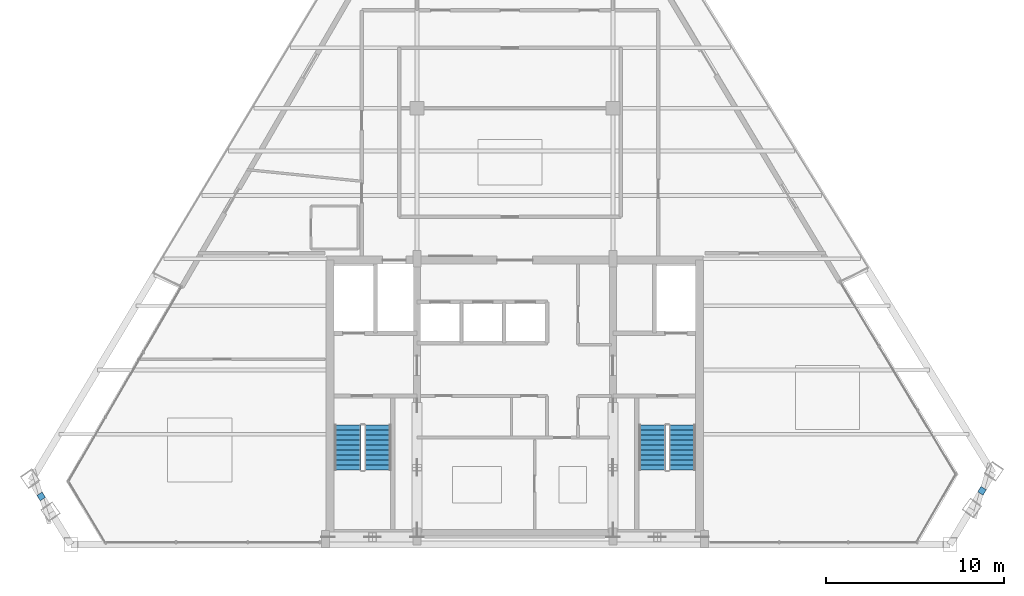
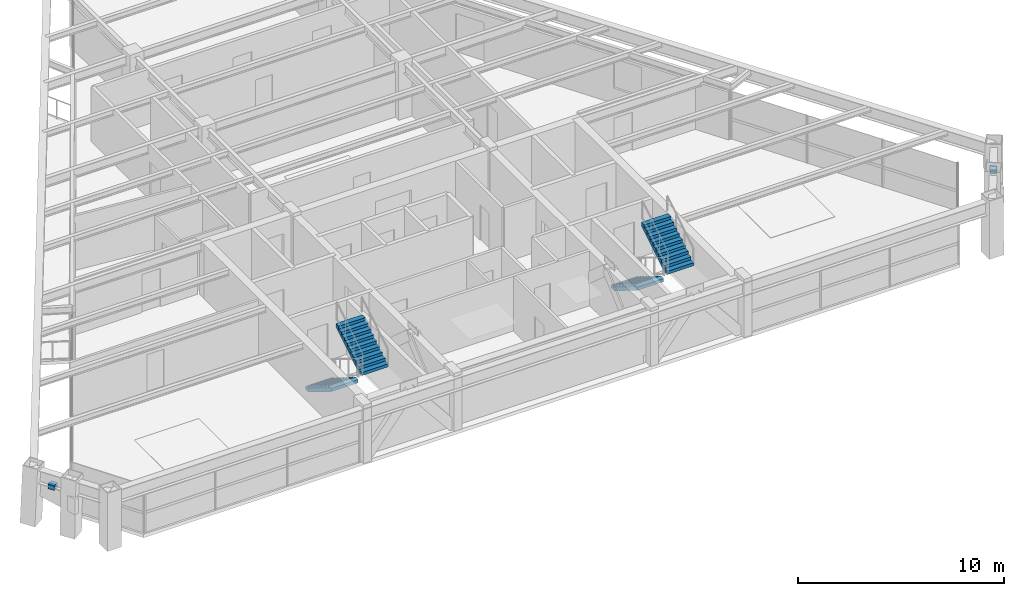
# One storey, part 11 of 13: 4 stair flights, 2 discrete accessories, 2 elements without a shape of their own.
"""IFC4 building model written with IfcOpenShell, lengths in metres."""

import ifcopenshell
import ifcopenshell.guid

model = None  # the IFC model being written
_history = None  # IfcOwnerHistory: only IFC2X3 demands one
_inside = {}  # id of a spatial element -> (the spatial element, [elements in it])
_under = {}  # id of a project, library or spatial element -> (it, [spatial elements below it])
_declared = {}  # id of a project -> (the project, [libraries it declares])
_typed = {}  # id of a type object -> (the type object, [elements of that type])
_made_of = {}  # id of a material, layer set ... -> (it, [elements and type objects made of it])


def new_model(schema):
    """Start an empty IFC model of exactly this schema.

    Asked for "IFC4X3", IfcOpenShell would pick the latest addendum, in which some entities
    have other attributes; the version numbers below select the first issue.
    IFC2X3 requires an IfcOwnerHistory on every rooted entity: one is made here for all.
    """
    global model, _history
    if schema == "IFC4X3":
        model = ifcopenshell.file(schema_version=(4, 3, 0, 0))
    else:
        model = ifcopenshell.file(schema=schema)
    _inside.clear()
    _under.clear()
    _declared.clear()
    _typed.clear()
    _made_of.clear()
    _history = None
    if model.schema == "IFC2X3":
        org = make("IfcOrganization", Name="unknown")
        user = make(
            "IfcPersonAndOrganization",
            ThePerson=make("IfcPerson", FamilyName="unknown"),
            TheOrganization=org,
        )
        app = make(
            "IfcApplication",
            ApplicationDeveloper=org,
            Version="unknown",
            ApplicationFullName="unknown",
            ApplicationIdentifier="unknown",
        )
        _history = make(
            "IfcOwnerHistory",
            OwningUser=user,
            OwningApplication=app,
            ChangeAction="ADDED",
            CreationDate=0,
        )
    return model


def make(cls, **values):
    """One entity of the class cls with the attributes given. An attribute that is None is left unset."""
    return model.create_entity(
        cls, **{name: value for name, value in values.items() if value is not None}
    )


def rooted(cls, **values):
    """An entity with a GlobalId (a new one), such as an element, a storey or a relation."""
    return make(cls, GlobalId=ifcopenshell.guid.new(), OwnerHistory=_history, **values)


def si_unit(unit_type, name, prefix=None):
    """IfcSIUnit, for example si_unit("LENGTHUNIT", "METRE", prefix="MILLI")."""
    return make("IfcSIUnit", UnitType=unit_type, Prefix=prefix, Name=name)


def assignment(units):
    """IfcUnitAssignment: the units of a project."""
    return None if units is None else make("IfcUnitAssignment", Units=units)


def point(xyz):
    """IfcCartesianPoint."""
    return None if xyz is None else make("IfcCartesianPoint", Coordinates=xyz)


def direction(xyz):
    """IfcDirection."""
    return None if xyz is None else make("IfcDirection", DirectionRatios=xyz)


def frame(location, z_axis=None, x_axis=None):
    """IfcAxis2Placement3D, a coordinate frame: its origin and axes. An axis left out is left unset."""
    return make(
        "IfcAxis2Placement3D",
        Location=point(location),
        Axis=direction(z_axis),
        RefDirection=direction(x_axis),
    )


def frame_2d(location, x_axis=None):
    """IfcAxis2Placement2D, a coordinate frame in the plane: its origin and x axis."""
    return make(
        "IfcAxis2Placement2D", Location=point(location), RefDirection=direction(x_axis)
    )


def origin():
    """The frame at (0, 0, 0) with its axes left unset."""
    return frame((0.0, 0.0, 0.0))


def origin_2d():
    """The frame at (0, 0) in the plane with its x axis left unset."""
    return frame_2d((0.0, 0.0))


def place(relative_to, where):
    """IfcLocalPlacement: puts the frame where relative to a parent placement (None: the world)."""
    return make(
        "IfcLocalPlacement", PlacementRelTo=relative_to, RelativePlacement=where
    )


def context(
    kind, dimensions, precision=None, world=None, true_north=None, identifier=None
):
    """IfcGeometricRepresentationContext, for example the 3D "Model" context."""
    return make(
        "IfcGeometricRepresentationContext",
        ContextIdentifier=identifier,
        ContextType=kind,
        CoordinateSpaceDimension=dimensions,
        Precision=precision,
        WorldCoordinateSystem=world,
        TrueNorth=true_north,
    )


def subcontext(parent, identifier, kind, view, scale=None):
    """IfcGeometricRepresentationSubContext, for example "Body" below "Model"."""
    return make(
        "IfcGeometricRepresentationSubContext",
        ContextIdentifier=identifier,
        ContextType=kind,
        ParentContext=parent,
        TargetScale=scale,
        TargetView=view,
    )


def project(units=None, contexts=None):
    """IfcProject with its units and contexts."""
    return rooted(
        "IfcProject",
        Name="project",
        RepresentationContexts=contexts,
        UnitsInContext=assignment(units),
    )


def spatial(cls, under=None, at=None, **own):
    """A site, building, storey or space (cls), placed at a placement, below another one or the project."""
    s = rooted(cls, ObjectPlacement=at, **own)
    if under is not None:
        _under.setdefault(under.id(), (under, []))[1].append(s)
    return s


def polyline(points):
    """IfcPolyline through the points."""
    return make("IfcPolyline", Points=[point(p) for p in points])


def profile(cls, at=None, kind="AREA", **sizes):
    """A parametric profile (cls). Its sizes go by their IFC names, for example OverallWidth=200.0."""
    return make(cls, ProfileType=kind, Position=at, **sizes)


def rectangle(**sizes):
    """IfcRectangleProfileDef."""
    return profile("IfcRectangleProfileDef", **sizes)


def outline(outer, holes=None, kind="AREA"):
    """IfcArbitraryClosedProfileDef: a profile drawn as a closed curve; with holes, ...WithVoids."""
    if holes is None:
        return make("IfcArbitraryClosedProfileDef", ProfileType=kind, OuterCurve=outer)
    return make(
        "IfcArbitraryProfileDefWithVoids",
        ProfileType=kind,
        OuterCurve=outer,
        InnerCurves=holes,
    )


def extrude(swept, where, along, depth):
    """IfcExtrudedAreaSolid: the profile swept, set in the frame where, extruded along a direction by depth."""
    return make(
        "IfcExtrudedAreaSolid",
        SweptArea=swept,
        Position=where,
        ExtrudedDirection=direction(along),
        Depth=depth,
    )


def shape(context_of_items, identifier, shape_type, items):
    """IfcShapeRepresentation: the items that make up one representation, for example the "Body"."""
    return make(
        "IfcShapeRepresentation",
        ContextOfItems=context_of_items,
        RepresentationIdentifier=identifier,
        RepresentationType=shape_type,
        Items=items,
    )


def source(mapping_origin, context_of_items, identifier, shape_type, items):
    """IfcRepresentationMap: a shape defined once, which mapped items show again and again."""
    return make(
        "IfcRepresentationMap",
        MappingOrigin=mapping_origin,
        MappedRepresentation=shape(context_of_items, identifier, shape_type, items),
    )


def transform(
    local_origin,
    x_axis=None,
    y_axis=None,
    z_axis=None,
    scale=None,
    scale2=None,
    scale3=None,
    uniform=True,
):
    """IfcCartesianTransformationOperator3D, or its non-uniform kind. x_axis, y_axis, z_axis: its Axis1, 2, 3."""
    if uniform:
        return make(
            "IfcCartesianTransformationOperator3D",
            Axis1=direction(x_axis),
            Axis2=direction(y_axis),
            LocalOrigin=point(local_origin),
            Scale=scale,
            Axis3=direction(z_axis),
        )
    return make(
        "IfcCartesianTransformationOperator3DnonUniform",
        Axis1=direction(x_axis),
        Axis2=direction(y_axis),
        LocalOrigin=point(local_origin),
        Scale=scale,
        Axis3=direction(z_axis),
        Scale2=scale2,
        Scale3=scale3,
    )


def mapped(mapping_source, mapping_target):
    """IfcMappedItem: shows the shape of a source again, moved by a transform."""
    return make(
        "IfcMappedItem", MappingSource=mapping_source, MappingTarget=mapping_target
    )


def material(Name=None, Category=None):
    """IfcMaterial."""
    return make("IfcMaterial", Name=Name, Category=Category)


def made_of(thing, what):
    """Note that an element or type object is made of a material, layer set ...; save() writes the relation."""
    if what is not None:
        _made_of.setdefault(what.id(), (what, []))[1].append(thing)
    return thing


def type_object(cls, material=None, **own):
    """A type object (cls), such as IfcWallType, which elements share."""
    return made_of(rooted(cls, **own), material)


def type_shapes(of_type, sources):
    """Give a type object the sources (RepresentationMaps) that its elements show as mapped items."""
    of_type.RepresentationMaps = sources


def element(
    cls,
    number,
    at=None,
    inside=None,
    cuts=None,
    type_object=None,
    material=None,
    context=None,
    identifier="Body",
    shape_type=None,
    held_by="IfcProductDefinitionShape",
    body=None,
    shapes=None,
    **own,
):
    """One element of the class cls, such as IfcWall. Its Tag is "e" and its number.

    at: its placement. inside: the storey or other place that contains it. cuts: it is an
    opening in that element (IfcRelVoidsElement). A single representation is given by context,
    identifier, shape_type and body (its items); several are given by shapes. held_by: the class
    of the entity that holds the representations. save() writes the other relations.
    """
    e = rooted(cls, Tag="e%d" % number, ObjectPlacement=at, **own)
    if body is not None:
        shapes = [shape(context, identifier, shape_type, body)]
    if shapes is not None:
        e.Representation = make(held_by, Representations=shapes)
    if inside is not None:
        _inside.setdefault(inside.id(), (inside, []))[1].append(e)
    if cuts is not None:
        rooted(
            "IfcRelVoidsElement", RelatingBuildingElement=cuts, RelatedOpeningElement=e
        )
    if type_object is not None:
        _typed.setdefault(type_object.id(), (type_object, []))[1].append(e)
    return made_of(e, material)


def aggregate(whole, parts):
    """IfcRelAggregates: a whole, such as a stair, and the parts it consists of."""
    return rooted("IfcRelAggregates", RelatingObject=whole, RelatedObjects=parts)


def save(model, path):
    """Write the relations noted so far, then the file.

    IfcRelAggregates (storeys below a building ...), IfcRelContainedInSpatialStructure (elements
    in a storey), IfcRelDefinesByType, IfcRelAssociatesMaterial and IfcRelDeclares: one each for
    every whole, place, type object, material and project.
    """
    for whole, parts in _under.values():
        aggregate(whole, parts)
    for where, things in _inside.values():
        rooted(
            "IfcRelContainedInSpatialStructure",
            RelatedElements=things,
            RelatingStructure=where,
        )
    for kind, things in _typed.values():
        rooted("IfcRelDefinesByType", RelatedObjects=things, RelatingType=kind)
    for what, things in _made_of.values():
        rooted("IfcRelAssociatesMaterial", RelatedObjects=things, RelatingMaterial=what)
    for by, libraries in _declared.values():
        rooted("IfcRelDeclares", RelatingContext=by, RelatedDefinitions=libraries)
    model.write(path)


model = new_model("IFC4")

# Units and contexts
model_context = context("Model", 3, precision=1e-05, world=origin(), true_north=direction((0.0, 1.0)))
body_context = subcontext(model_context, "Body", "Model", "MODEL_VIEW")
ifc_project = project(units=[si_unit("LENGTHUNIT", "METRE"), si_unit("AREAUNIT", "SQUARE_METRE"), si_unit("VOLUMEUNIT", "CUBIC_METRE"), si_unit("PLANEANGLEUNIT", "RADIAN"), si_unit("MASSUNIT", "GRAM", prefix="KILO")], contexts=[model_context])

# Site, building, storey
site_placement = place(None, origin())
site = spatial("IfcSite", under=ifc_project, at=site_placement, CompositionType="ELEMENT")
building_placement = place(site_placement, origin())
building = spatial("IfcBuilding", under=site, at=building_placement, Name="Varnakhor Terracotta Tower", CompositionType="ELEMENT")
storey_placement = place(building_placement, frame((0.0, 0.0, 266.10009765625)))
storey = spatial("IfcBuildingStorey", under=building, at=storey_placement, Name="L69", CompositionType="ELEMENT", Elevation=266.10009765625)

# Stair, stair flights
ifc_material_1 = material(Name="Concrete C40/50", Category="concrete")
stair_type = type_object("IfcStairType", Name="STR-CORE-HOTEL-1500", PredefinedType="HALF_TURN_STAIR", material=ifc_material_1)
stair_1_placement = place(storey_placement, origin())
stair_1 = element("IfcStair", 1, at=stair_1_placement, inside=storey, type_object=stair_type, Name="L69 Core Exit Stair ST-1", PredefinedType="HALF_TURN_STAIR")
stair_flight_type = type_object("IfcStairFlightType", Name="FLT-HOTEL-1500", PredefinedType="STRAIGHT", material=ifc_material_1)
stair_flight_1_placement = place(storey_placement, frame((-9.39990234375, 6.7099609375, 0.0), z_axis=(0.0, 0.0, 1.0), x_axis=(0.0, -1.0, 0.0)))
stair_flight_1 = element("IfcStairFlight", 2, at=stair_flight_1_placement, type_object=stair_flight_type, Name="ST-1 flight 1", NumberOfRisers=10, NumberOfTreads=9, PredefinedType="STRAIGHT", RiserHeight=0.1725, TreadLength=0.28, context=body_context, shape_type="SweptSolid", body=[
    extrude(outline(polyline([(0.0, 0.0), (0.0, 0.172607421875), (0.280029296875, 0.172607421875), (0.280029296875, 0.344970703125), (0.56005859375, 0.344970703125), (0.56005859375, 0.517578125), (0.840087890625, 0.517578125), (0.840087890625, 0.68994140625), (1.1201171875, 0.68994140625), (1.1201171875, 0.862548828125), (1.39990234375, 0.862548828125), (1.39990234375, 1.034912109375), (1.679931640625, 1.034912109375), (1.679931640625, 1.20751953125), (1.9599609375, 1.20751953125), (1.9599609375, 1.3798828125), (2.239990234375, 1.3798828125), (2.239990234375, 1.552490234375), (2.52001953125, 1.552490234375), (2.52001953125, 1.72509765625), (2.52001953125, 1.36474609375), (0.304931640625, 0.0), (0.0, 0.0)])), frame((0.0, 0.75, 0.0), z_axis=(0.0, -1.0, 0.0), x_axis=(1.0, 0.0, 0.0)), (0.0, 0.0, 1.0), 1.5),
])
stair_flight_2_placement = place(storey_placement, frame((-7.699951171875, 4.18994140625, 1.724853515625), z_axis=(0.0, 0.0, 1.0), x_axis=(0.0, 1.0, 0.0)))
stair_flight_2 = element("IfcStairFlight", 3, at=stair_flight_2_placement, type_object=stair_flight_type, Name="ST-1 flight 2", NumberOfRisers=10, NumberOfTreads=9, PredefinedType="STRAIGHT", RiserHeight=0.1725, TreadLength=0.28, context=body_context, shape_type="SweptSolid", body=[
    extrude(outline(polyline([(0.0, 0.0), (0.0, 0.172607421875), (0.280029296875, 0.172607421875), (0.280029296875, 0.344970703125), (0.56005859375, 0.344970703125), (0.56005859375, 0.517578125), (0.840087890625, 0.517578125), (0.840087890625, 0.68994140625), (1.1201171875, 0.68994140625), (1.1201171875, 0.862548828125), (1.39990234375, 0.862548828125), (1.39990234375, 1.034912109375), (1.679931640625, 1.034912109375), (1.679931640625, 1.20751953125), (1.9599609375, 1.20751953125), (1.9599609375, 1.3798828125), (2.239990234375, 1.3798828125), (2.239990234375, 1.552490234375), (2.52001953125, 1.552490234375), (2.52001953125, 1.72509765625), (2.52001953125, 1.36474609375), (0.304931640625, 0.0), (0.0, 0.0)])), frame((0.0, 0.75, 0.0), z_axis=(0.0, -1.0, 0.0), x_axis=(1.0, 0.0, 0.0)), (0.0, 0.0, 1.0), 1.5),
])
aggregate(stair_1, [stair_flight_1, stair_flight_2])

stair_2_placement = place(storey_placement, origin())
stair_2 = element("IfcStair", 4, at=stair_2_placement, inside=storey, type_object=stair_type, Name="L69 Core Exit Stair ST-2", PredefinedType="HALF_TURN_STAIR")
stair_flight_3_placement = place(storey_placement, frame((7.699951171875, 6.7099609375, 0.0), z_axis=(0.0, 0.0, 1.0), x_axis=(0.0, -1.0, 0.0)))
stair_flight_3 = element("IfcStairFlight", 5, at=stair_flight_3_placement, type_object=stair_flight_type, Name="ST-2 flight 1", NumberOfRisers=10, NumberOfTreads=9, PredefinedType="STRAIGHT", RiserHeight=0.1725, TreadLength=0.28, context=body_context, shape_type="SweptSolid", body=[
    extrude(outline(polyline([(0.0, 0.0), (0.0, 0.172607421875), (0.280029296875, 0.172607421875), (0.280029296875, 0.344970703125), (0.56005859375, 0.344970703125), (0.56005859375, 0.517578125), (0.840087890625, 0.517578125), (0.840087890625, 0.68994140625), (1.1201171875, 0.68994140625), (1.1201171875, 0.862548828125), (1.39990234375, 0.862548828125), (1.39990234375, 1.034912109375), (1.679931640625, 1.034912109375), (1.679931640625, 1.20751953125), (1.9599609375, 1.20751953125), (1.9599609375, 1.3798828125), (2.239990234375, 1.3798828125), (2.239990234375, 1.552490234375), (2.52001953125, 1.552490234375), (2.52001953125, 1.72509765625), (2.52001953125, 1.36474609375), (0.304931640625, 0.0), (0.0, 0.0)])), frame((0.0, 0.75, 0.0), z_axis=(0.0, -1.0, 0.0), x_axis=(1.0, 0.0, 0.0)), (0.0, 0.0, 1.0), 1.5),
])
stair_flight_4_placement = place(storey_placement, frame((9.39990234375, 4.18994140625, 1.724853515625), z_axis=(0.0, 0.0, 1.0), x_axis=(0.0, 1.0, 0.0)))
stair_flight_4 = element("IfcStairFlight", 6, at=stair_flight_4_placement, type_object=stair_flight_type, Name="ST-2 flight 2", NumberOfRisers=10, NumberOfTreads=9, PredefinedType="STRAIGHT", RiserHeight=0.1725, TreadLength=0.28, context=body_context, shape_type="SweptSolid", body=[
    extrude(outline(polyline([(0.0, 0.0), (0.0, 0.172607421875), (0.280029296875, 0.172607421875), (0.280029296875, 0.344970703125), (0.56005859375, 0.344970703125), (0.56005859375, 0.517578125), (0.840087890625, 0.517578125), (0.840087890625, 0.68994140625), (1.1201171875, 0.68994140625), (1.1201171875, 0.862548828125), (1.39990234375, 0.862548828125), (1.39990234375, 1.034912109375), (1.679931640625, 1.034912109375), (1.679931640625, 1.20751953125), (1.9599609375, 1.20751953125), (1.9599609375, 1.3798828125), (2.239990234375, 1.3798828125), (2.239990234375, 1.552490234375), (2.52001953125, 1.552490234375), (2.52001953125, 1.72509765625), (2.52001953125, 1.36474609375), (0.304931640625, 0.0), (0.0, 0.0)])), frame((0.0, 0.75, 0.0), z_axis=(0.0, -1.0, 0.0), x_axis=(1.0, 0.0, 0.0)), (0.0, 0.0, 1.0), 1.5),
])
aggregate(stair_2, [stair_flight_3, stair_flight_4])

# Discrete accessories
ifc_material_2 = material(Name="Stainless Steel Fixing Bracket", Category="steel")
discrete_accessory_type = type_object("IfcDiscreteAccessoryType", Name="BRACKET-TERRACOTTA-SCREEN", PredefinedType="BRACKET", material=ifc_material_2)
shared_shape = source(origin(), body_context, "Body", "SweptSolid", [
    extrude(rectangle(XDim=0.35009765625, YDim=0.35009765625, at=origin_2d()), origin(), (0.0, 0.0, 1.0), 0.280029296875),
])
type_shapes(discrete_accessory_type, [shared_shape])
for number, where, z_axis, x_axis, name in (
    (7, (26.232421875, 3.017578125, 2.3369140625), (0.0, 0.0, 1.0), (0.513870687465, 0.857867656789, 0.0), "L69 E Screen Fixing Bracket"),
    (8, (-26.6025390625, 2.701904296875, 2.3369140625), (0.0, 0.0, 1.0), (0.524892400634, -0.851168589503, 0.0), "L69 W Screen Fixing Bracket"),
):
    element("IfcDiscreteAccessory", number, at=place(storey_placement, frame(where, z_axis=z_axis, x_axis=x_axis)), inside=storey, type_object=discrete_accessory_type, Name=name, PredefinedType="BRACKET", context=body_context, shape_type="MappedRepresentation", body=[
        mapped(shared_shape, transform((0.0, 0.0, 0.0), scale=1.0)),
    ])

save(model, "model.ifc")
